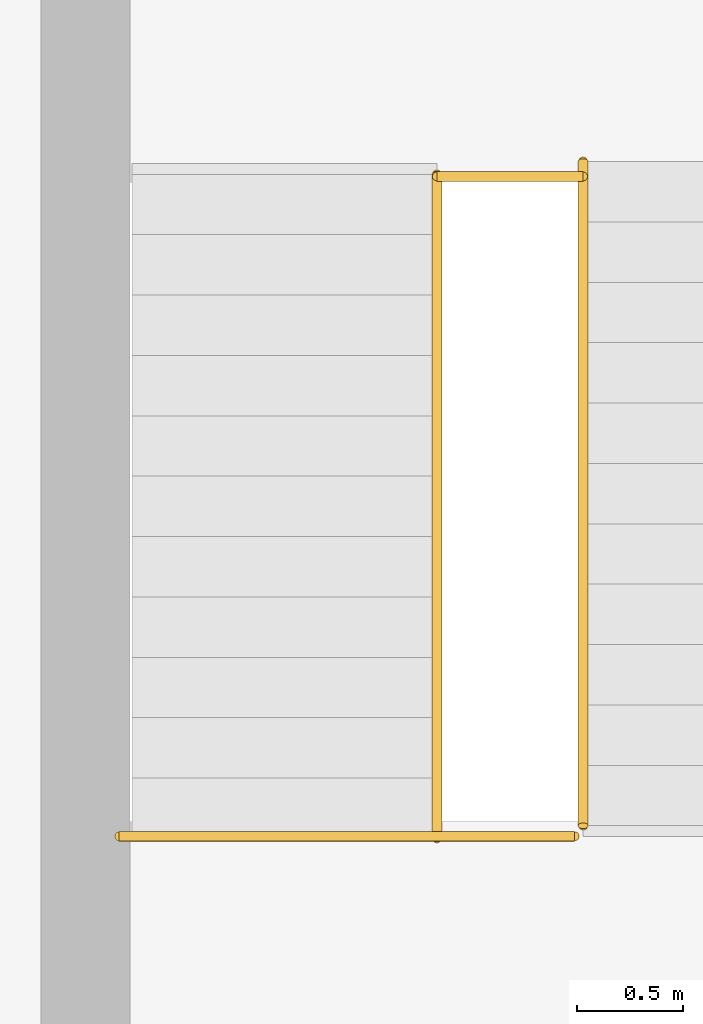
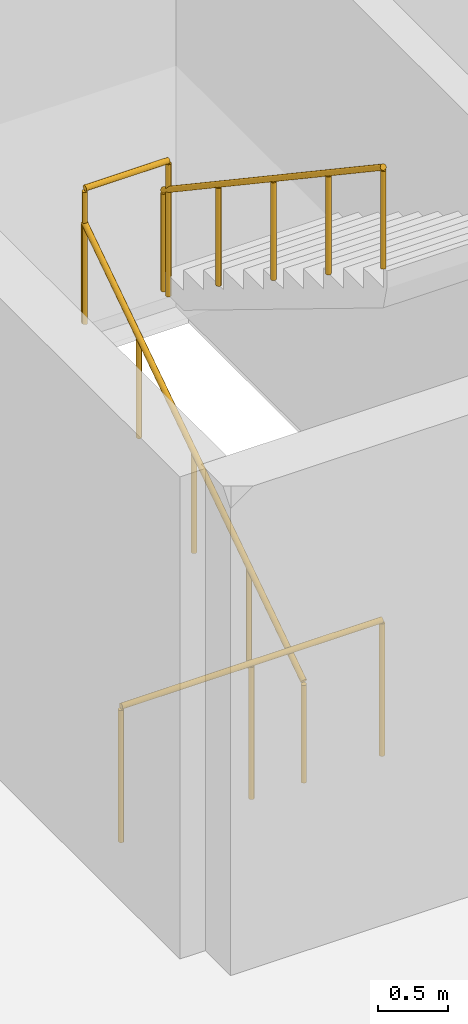
# One storey, part 155 of 161: 4 railings.
"""IFC4 building model written with IfcOpenShell, lengths in metres."""

from ifc_helpers import new_model, si_unit, direction, frame, origin, origin_2d, place, context, subcontext, project, spatial, circle, extrude, material, type_object, element, save


model = new_model("IFC4")

# Units and contexts
model_context = context("Model", 3, precision=1e-05, world=origin(), true_north=direction((0.0, 1.0)))
body_context = subcontext(model_context, "Body", "Model", "MODEL_VIEW")
ifc_project = project(units=[si_unit("LENGTHUNIT", "METRE"), si_unit("AREAUNIT", "SQUARE_METRE"), si_unit("VOLUMEUNIT", "CUBIC_METRE"), si_unit("PLANEANGLEUNIT", "RADIAN"), si_unit("MASSUNIT", "GRAM", prefix="KILO")], contexts=[model_context])

# Site, building, storey
site_placement = place(None, origin())
site = spatial("IfcSite", under=ifc_project, at=site_placement, CompositionType="ELEMENT")
building_placement = place(site_placement, origin())
building = spatial("IfcBuilding", under=site, at=building_placement, Name="Kildeholm Park Wholesale Market", CompositionType="ELEMENT")
storey_placement = place(building_placement, frame((0.0, 0.0, 5.39990234375)))
storey = spatial("IfcBuildingStorey", under=building, at=storey_placement, Name="L01", CompositionType="ELEMENT", Elevation=5.39990234375)

# Railings
ifc_material_1 = material(Name="Painted steel and laminated glass balustrade", Category="steel")
railing_type_1 = type_object("IfcRailingType", Name="Interior gallery and stairwell guard GR-IN1 1200 mm", PredefinedType="GUARDRAIL", material=ifc_material_1)
railing_1_placement = place(storey_placement, frame((68.159912109375, 110.429931640625, 0.0)))
element("IfcRailing", 1, at=railing_1_placement, inside=storey, type_object=railing_type_1, Name="Stair C11 upper floor well guard L01 RLG-0123", PredefinedType="GUARDRAIL", context=body_context, shape_type="SweptSolid", body=[
    extrude(circle(Radius=0.02392578125, at=origin_2d()), frame((0.0, 0.0, 1.17578125), z_axis=(1.0, 0.0, 0.0), x_axis=(0.0, 1.0, 0.0)), (0.0, 0.0, 1.0), 2.150146484375),
    extrude(circle(Radius=0.02099609375, at=origin_2d()), origin(), (0.0, 0.0, 1.0), 1.15185546875),
    extrude(circle(Radius=0.02099609375, at=origin_2d()), frame((1.0751953125, 0.0, 0.0)), (0.0, 0.0, 1.0), 1.15185546875),
    extrude(circle(Radius=0.02099609375, at=origin_2d()), frame((2.150146484375, 0.0, 0.0)), (0.0, 0.0, 1.0), 1.15185546875),
])
railing_2_placement = place(storey_placement, frame((69.659912109375, 113.544921875, 2.10009765625)))
element("IfcRailing", 2, at=railing_2_placement, inside=storey, type_object=railing_type_1, Name="Stair C11 half-landing well guard L01 RLG-0126", PredefinedType="GUARDRAIL", context=body_context, shape_type="SweptSolid", body=[
    extrude(circle(Radius=0.02392578125, at=origin_2d()), frame((0.0, 0.0, 1.17578125), z_axis=(1.0, 0.0, 0.0), x_axis=(0.0, 1.0, 0.0)), (0.0, 0.0, 1.0), 0.690185546875),
    extrude(circle(Radius=0.02099609375, at=origin_2d()), origin(), (0.0, 0.0, 1.0), 1.15185546875),
    extrude(circle(Radius=0.02099609375, at=origin_2d()), frame((0.690185546875, 0.0, 0.0)), (0.0, 0.0, 1.0), 1.15185546875),
])
ifc_material_2 = material(Name="Stainless steel AISI 316 handrail", Category="steel")
railing_type_2 = type_object("IfcRailingType", Name="Stair flight handrail HR-IN1 900 mm", PredefinedType="HANDRAIL", material=ifc_material_2)
railing_3_placement = place(storey_placement, frame((69.659912109375, 110.419921875, 0.0)))
element("IfcRailing", 3, at=railing_3_placement, inside=storey, type_object=railing_type_2, Name="Stair C11 flight 1 handrail L01 RLG-0128", PredefinedType="HANDRAIL", context=body_context, shape_type="SweptSolid", body=[
    extrude(circle(Radius=0.02392578125, at=origin_2d()), frame((0.0, 0.0, 0.8759765625), z_axis=(0.0, 0.830813955726, 0.556550241192), x_axis=(-1.0, 0.0, 0.0)), (0.0, 0.0, 1.0), 3.7734375),
    extrude(circle(Radius=0.02099609375, at=origin_2d()), origin(), (0.0, 0.0, 1.0), 0.851806640625),
    extrude(circle(Radius=0.02099609375, at=origin_2d()), frame((0.0, 0.78369140625, 0.52490234375)), (0.0, 0.0, 1.0), 0.851806640625),
    extrude(circle(Radius=0.02099609375, at=origin_2d()), frame((0.0, 1.5673828125, 1.050048828125)), (0.0, 0.0, 1.0), 0.851806640625),
    extrude(circle(Radius=0.02099609375, at=origin_2d()), frame((0.0, 2.351318359375, 1.5751953125)), (0.0, 0.0, 1.0), 0.851806640625),
    extrude(circle(Radius=0.02099609375, at=origin_2d()), frame((0.0, 3.135009765625, 2.10009765625)), (0.0, 0.0, 1.0), 0.851806640625),
])
railing_4_placement = place(storey_placement, frame((70.35009765625, 113.614990234375, 2.10009765625)))
element("IfcRailing", 4, at=railing_4_placement, inside=storey, type_object=railing_type_2, Name="Stair C11 flight 2 handrail L01 RLG-0129", PredefinedType="HANDRAIL", context=body_context, shape_type="SweptSolid", body=[
    extrude(circle(Radius=0.02392578125, at=origin_2d()), frame((0.0, 0.0, 0.8759765625), z_axis=(0.0, -0.830813955726, 0.556550241192), x_axis=(1.0, 0.0, 0.0)), (0.0, 0.0, 1.0), 3.7734375),
    extrude(circle(Radius=0.02099609375, at=origin_2d()), origin(), (0.0, 0.0, 1.0), 0.851806640625),
    extrude(circle(Radius=0.02099609375, at=origin_2d()), frame((0.0, -0.78369140625, 0.52490234375)), (0.0, 0.0, 1.0), 0.851806640625),
    extrude(circle(Radius=0.02099609375, at=origin_2d()), frame((0.0, -1.5673828125, 1.050048828125)), (0.0, 0.0, 1.0), 0.851806640625),
    extrude(circle(Radius=0.02099609375, at=origin_2d()), frame((0.0, -2.351318359375, 1.5751953125)), (0.0, 0.0, 1.0), 0.851806640625),
    extrude(circle(Radius=0.02099609375, at=origin_2d()), frame((0.0, -3.135009765625, 2.10009765625)), (0.0, 0.0, 1.0), 0.851806640625),
])

save(model, "model.ifc")
